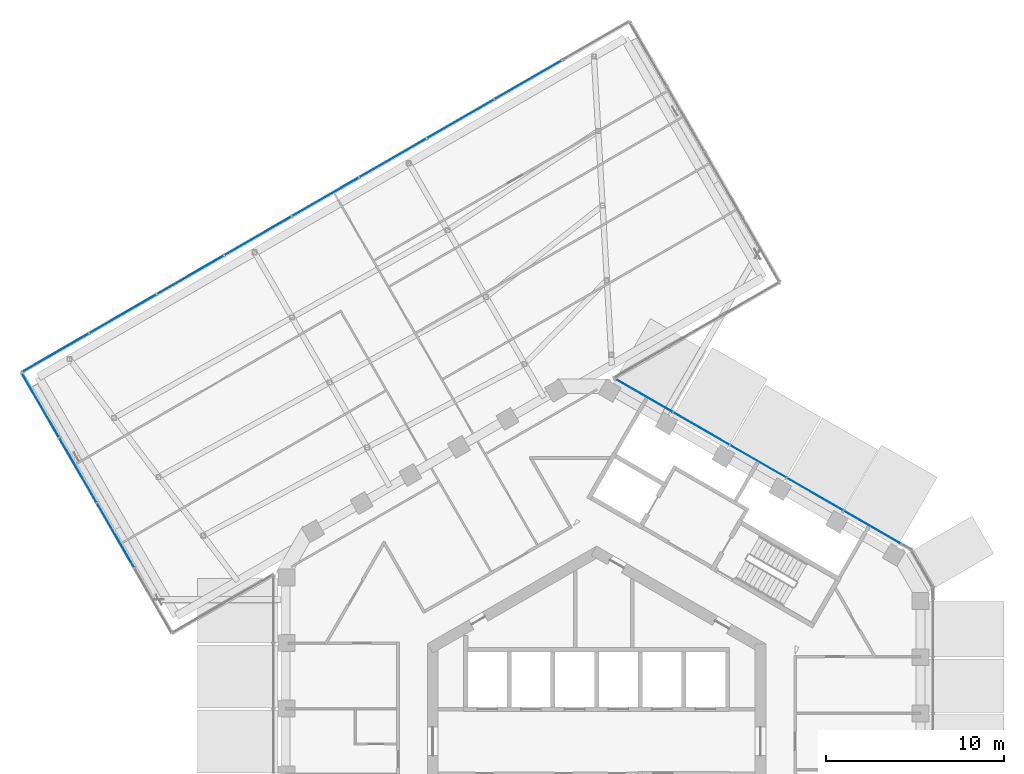
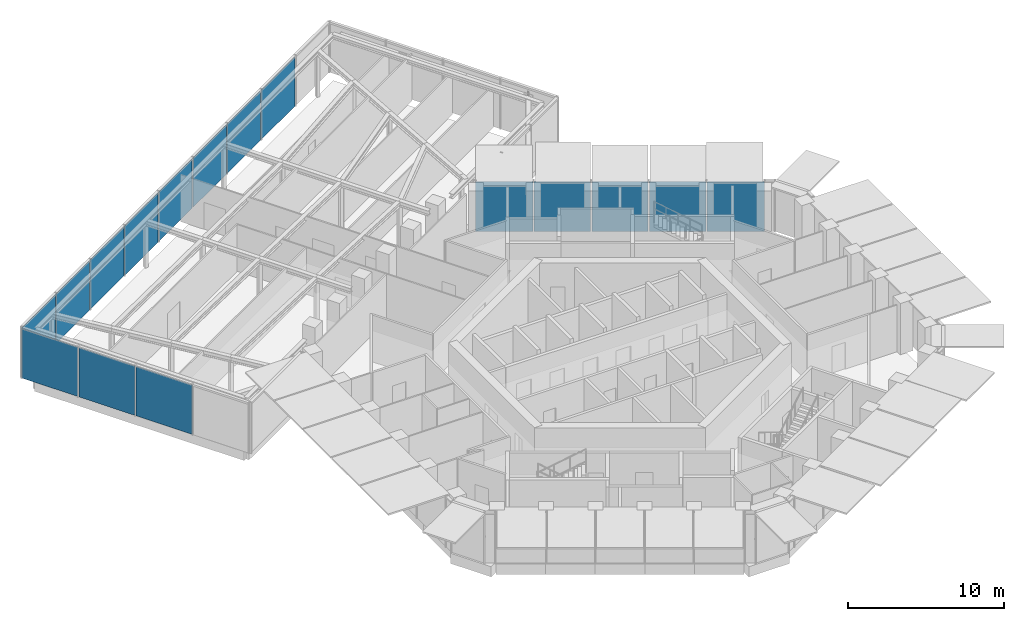
# One storey, part 16 of 27: 16 plates, 3 elements without a shape of their own.
"""IFC4 building model written with IfcOpenShell, lengths in metres."""

from ifc_helpers import new_model, si_unit, direction, frame, origin, origin_2d, place, context, subcontext, project, spatial, rectangle, extrude, material, layer, layer_set, type_object, element, aggregate, save


model = new_model("IFC4")

# Units and contexts
model_context = context("Model", 3, precision=1e-05, world=origin(), true_north=direction((0.0, 1.0)))
body_context = subcontext(model_context, "Body", "Model", "MODEL_VIEW")
ifc_project = project(units=[si_unit("LENGTHUNIT", "METRE"), si_unit("AREAUNIT", "SQUARE_METRE"), si_unit("VOLUMEUNIT", "CUBIC_METRE"), si_unit("PLANEANGLEUNIT", "RADIAN"), si_unit("MASSUNIT", "GRAM", prefix="KILO")], contexts=[model_context])

# Site, building, storey
site_placement = place(None, origin())
site = spatial("IfcSite", under=ifc_project, at=site_placement, CompositionType="ELEMENT")
building_placement = place(site_placement, origin())
building = spatial("IfcBuilding", under=site, at=building_placement, Name="Ayvan Gate Tower", CompositionType="ELEMENT")
storey_placement = place(building_placement, frame((0.0, 0.0, 194.699951171875)))
storey = spatial("IfcBuildingStorey", under=building, at=storey_placement, Name="L52", CompositionType="ELEMENT", Elevation=194.699951171875)

# Curtain wall, plates
ifc_material_1 = material(Name="Bronze anodised aluminium", Category="aluminium")
ifc_layer_1 = layer(ifc_material_1, 0.199951171875)
ifc_layer_set_1 = layer_set([ifc_layer_1], Name="Bronze anodised aluminium")
curtain_wall_type_1 = type_object("IfcCurtainWallType", Name="Stick curtain wall CW-2", PredefinedType="NOTDEFINED", material=ifc_layer_set_1)
curtain_wall_1_placement = place(storey_placement, origin())
curtain_wall_1 = element("IfcCurtainWall", 1, at=curtain_wall_1_placement, inside=storey, type_object=curtain_wall_type_1, Name="Stick curtain wall CW-2 L52", PredefinedType="NOTDEFINED")
ifc_material_2 = material(Name="Clear low-iron laminated glass", Category="glass")
ifc_layer_2 = layer(ifc_material_2, 0.028076171875)
ifc_layer_set_2 = layer_set([ifc_layer_2], Name="Clear low-iron laminated glass")
plate_type_1 = type_object("IfcPlateType", Name="Stick curtain wall CW-2 glass panel", PredefinedType="CURTAIN_PANEL", material=ifc_layer_set_2)
plate_1_placement = place(storey_placement, frame((15.489501953125, 12.018798828125, 0.0), z_axis=(0.0, 0.0, 1.0), x_axis=(-0.866025403784, 0.5, 0.0)))
plate_1 = element("IfcPlate", 2, at=plate_1_placement, type_object=plate_type_1, Name="CW-2 glass panel 1", PredefinedType="CURTAIN_PANEL", context=body_context, shape_type="SweptSolid", body=[
    extrude(rectangle(XDim=3.68701171875, YDim=0.028076171875, at=origin_2d()), origin(), (0.0, 0.0, 1.0), 3.8798828125),
])
plate_2_placement = place(storey_placement, frame((12.267578125, 13.879150390625, 0.0), z_axis=(0.0, 0.0, 1.0), x_axis=(-0.866025403784, 0.5, 0.0)))
plate_2 = element("IfcPlate", 3, at=plate_2_placement, type_object=plate_type_1, Name="CW-2 glass panel 2", PredefinedType="CURTAIN_PANEL", context=body_context, shape_type="SweptSolid", body=[
    extrude(rectangle(XDim=3.614013671875, YDim=0.028076171875, at=origin_2d()), origin(), (0.0, 0.0, 1.0), 3.8798828125),
])
plate_3_placement = place(storey_placement, frame((9.07666015625, 15.721435546875, 0.0), z_axis=(0.0, 0.0, 1.0), x_axis=(-0.866025403784, 0.5, 0.0)))
plate_3 = element("IfcPlate", 4, at=plate_3_placement, type_object=plate_type_1, Name="CW-2 glass panel 3", PredefinedType="CURTAIN_PANEL", context=body_context, shape_type="SweptSolid", body=[
    extrude(rectangle(XDim=3.614990234375, YDim=0.028076171875, at=origin_2d()), origin(), (0.0, 0.0, 1.0), 3.8798828125),
])
plate_4_placement = place(storey_placement, frame((5.8857421875, 17.563720703125, 0.0), z_axis=(0.0, 0.0, 1.0), x_axis=(-0.866025403784, 0.5, 0.0)))
plate_4 = element("IfcPlate", 5, at=plate_4_placement, type_object=plate_type_1, Name="CW-2 glass panel 4", PredefinedType="CURTAIN_PANEL", context=body_context, shape_type="SweptSolid", body=[
    extrude(rectangle(XDim=3.614013671875, YDim=0.028076171875, at=origin_2d()), origin(), (0.0, 0.0, 1.0), 3.8798828125),
])
plate_5_placement = place(storey_placement, frame((2.663818359375, 19.423828125, 0.0), z_axis=(0.0, 0.0, 1.0), x_axis=(-0.866025403784, 0.5, 0.0)))
plate_5 = element("IfcPlate", 6, at=plate_5_placement, type_object=plate_type_1, Name="CW-2 glass panel 5", PredefinedType="CURTAIN_PANEL", context=body_context, shape_type="SweptSolid", body=[
    extrude(rectangle(XDim=3.686767578125, YDim=0.028076171875, at=origin_2d()), origin(), (0.0, 0.0, 1.0), 3.8798828125),
])
aggregate(curtain_wall_1, [plate_1, plate_2, plate_3, plate_4, plate_5])

ifc_layer_3 = layer(ifc_material_1, 0.199951171875)
ifc_layer_set_3 = layer_set([ifc_layer_3], Name="Bronze anodised aluminium")
curtain_wall_type_2 = type_object("IfcCurtainWallType", Name="Stick curtain wall CW-4", PredefinedType="NOTDEFINED", material=ifc_layer_set_3)
curtain_wall_2_placement = place(storey_placement, origin())
curtain_wall_2 = element("IfcCurtainWall", 7, at=curtain_wall_2_placement, inside=storey, type_object=curtain_wall_type_2, Name="Stick curtain wall CW-4 L52", PredefinedType="NOTDEFINED")
ifc_layer_4 = layer(ifc_material_2, 0.028076171875)
ifc_layer_set_4 = layer_set([ifc_layer_4], Name="Clear low-iron laminated glass")
plate_type_2 = type_object("IfcPlateType", Name="Stick curtain wall CW-4 glass panel", PredefinedType="CURTAIN_PANEL", material=ifc_layer_set_4)
plate_6_placement = place(storey_placement, frame((-3.850830078125, 37.136474609375, 0.0), z_axis=(0.0, 0.0, 1.0), x_axis=(-0.866025403784, -0.5, 0.0)))
plate_6 = element("IfcPlate", 8, at=plate_6_placement, type_object=plate_type_2, Name="CW-4 glass panel 2", PredefinedType="CURTAIN_PANEL", context=body_context, shape_type="SweptSolid", body=[
    extrude(rectangle(XDim=4.2978515625, YDim=0.028076171875, at=origin_2d()), origin(), (0.0, 0.0, 1.0), 3.860107421875),
])
plate_7_placement = place(storey_placement, frame((-7.64208984375, 34.947509765625, 0.0), z_axis=(0.0, 0.0, 1.0), x_axis=(-0.866025403784, -0.5, 0.0)))
plate_7 = element("IfcPlate", 9, at=plate_7_placement, type_object=plate_type_2, Name="CW-4 glass panel 3", PredefinedType="CURTAIN_PANEL", context=body_context, shape_type="SweptSolid", body=[
    extrude(rectangle(XDim=4.2978515625, YDim=0.028076171875, at=origin_2d()), origin(), (0.0, 0.0, 1.0), 3.860107421875),
])
plate_8_placement = place(storey_placement, frame((-11.433349609375, 32.7587890625, 0.0), z_axis=(0.0, 0.0, 1.0), x_axis=(-0.866025403784, -0.5, 0.0)))
plate_8 = element("IfcPlate", 10, at=plate_8_placement, type_object=plate_type_2, Name="CW-4 glass panel 4", PredefinedType="CURTAIN_PANEL", context=body_context, shape_type="SweptSolid", body=[
    extrude(rectangle(XDim=4.2978515625, YDim=0.028076171875, at=origin_2d()), origin(), (0.0, 0.0, 1.0), 3.860107421875),
])
plate_9_placement = place(storey_placement, frame((-15.224609375, 30.56982421875, 0.0), z_axis=(0.0, 0.0, 1.0), x_axis=(-0.866025403784, -0.5, 0.0)))
plate_9 = element("IfcPlate", 11, at=plate_9_placement, type_object=plate_type_2, Name="CW-4 glass panel 5", PredefinedType="CURTAIN_PANEL", context=body_context, shape_type="SweptSolid", body=[
    extrude(rectangle(XDim=4.2978515625, YDim=0.028076171875, at=origin_2d()), origin(), (0.0, 0.0, 1.0), 3.860107421875),
])
plate_10_placement = place(storey_placement, frame((-19.015869140625, 28.380859375, 0.0), z_axis=(0.0, 0.0, 1.0), x_axis=(-0.866025403784, -0.5, 0.0)))
plate_10 = element("IfcPlate", 12, at=plate_10_placement, type_object=plate_type_2, Name="CW-4 glass panel 6", PredefinedType="CURTAIN_PANEL", context=body_context, shape_type="SweptSolid", body=[
    extrude(rectangle(XDim=4.2978515625, YDim=0.028076171875, at=origin_2d()), origin(), (0.0, 0.0, 1.0), 3.860107421875),
])
plate_11_placement = place(storey_placement, frame((-22.80712890625, 26.192138671875, 0.0), z_axis=(0.0, 0.0, 1.0), x_axis=(-0.866025403784, -0.5, 0.0)))
plate_11 = element("IfcPlate", 13, at=plate_11_placement, type_object=plate_type_2, Name="CW-4 glass panel 7", PredefinedType="CURTAIN_PANEL", context=body_context, shape_type="SweptSolid", body=[
    extrude(rectangle(XDim=4.2978515625, YDim=0.028076171875, at=origin_2d()), origin(), (0.0, 0.0, 1.0), 3.860107421875),
])
plate_12_placement = place(storey_placement, frame((-26.598388671875, 24.003173828125, 0.0), z_axis=(0.0, 0.0, 1.0), x_axis=(-0.866025403784, -0.5, 0.0)))
plate_12 = element("IfcPlate", 14, at=plate_12_placement, type_object=plate_type_2, Name="CW-4 glass panel 8", PredefinedType="CURTAIN_PANEL", context=body_context, shape_type="SweptSolid", body=[
    extrude(rectangle(XDim=4.2978515625, YDim=0.028076171875, at=origin_2d()), origin(), (0.0, 0.0, 1.0), 3.860107421875),
])
plate_13_placement = place(storey_placement, frame((-30.3896484375, 21.814208984375, 0.0), z_axis=(0.0, 0.0, 1.0), x_axis=(-0.866025403784, -0.5, 0.0)))
plate_13 = element("IfcPlate", 15, at=plate_13_placement, type_object=plate_type_2, Name="CW-4 glass panel 9", PredefinedType="CURTAIN_PANEL", context=body_context, shape_type="SweptSolid", body=[
    extrude(rectangle(XDim=4.2978515625, YDim=0.028076171875, at=origin_2d()), origin(), (0.0, 0.0, 1.0), 3.860107421875),
])
aggregate(curtain_wall_2, [plate_6, plate_7, plate_8, plate_9, plate_10, plate_11, plate_12, plate_13])

curtain_wall_3_placement = place(storey_placement, origin())
curtain_wall_3 = element("IfcCurtainWall", 16, at=curtain_wall_3_placement, inside=storey, type_object=curtain_wall_type_2, Name="Stick curtain wall CW-4 L52", PredefinedType="NOTDEFINED")
plate_14_placement = place(storey_placement, frame((-31.22900390625, 18.890380859375, 0.0), z_axis=(0.0, 0.0, 1.0), x_axis=(0.5, -0.866025403784, 0.0)))
plate_14 = element("IfcPlate", 17, at=plate_14_placement, type_object=plate_type_2, Name="CW-4 glass panel 1", PredefinedType="CURTAIN_PANEL", context=body_context, shape_type="SweptSolid", body=[
    extrude(rectangle(XDim=4.14501953125, YDim=0.028076171875, at=origin_2d()), origin(), (0.0, 0.0, 1.0), 3.860107421875),
])
plate_15_placement = place(storey_placement, frame((-27.004150390625, 11.572509765625, 0.0), z_axis=(0.0, 0.0, 1.0), x_axis=(0.5, -0.866025403784, 0.0)))
plate_15 = element("IfcPlate", 18, at=plate_15_placement, type_object=plate_type_2, Name="CW-4 glass panel 3", PredefinedType="CURTAIN_PANEL", context=body_context, shape_type="SweptSolid", body=[
    extrude(rectangle(XDim=4.14501953125, YDim=0.028076171875, at=origin_2d()), origin(), (0.0, 0.0, 1.0), 3.860107421875),
])
ifc_material_3 = material(Name="Pale anodised aluminium composite panel", Category="aluminium")
ifc_layer_5 = layer(ifc_material_3, 0.028076171875)
ifc_layer_set_5 = layer_set([ifc_layer_5], Name="Pale anodised aluminium composite panel")
plate_type_3 = type_object("IfcPlateType", Name="Stick curtain wall CW-4 solid panel", PredefinedType="CURTAIN_PANEL", material=ifc_layer_set_5)
plate_16_placement = place(storey_placement, frame((-29.116455078125, 15.2314453125, 0.0), z_axis=(0.0, 0.0, 1.0), x_axis=(0.5, -0.866025403784, 0.0)))
plate_16 = element("IfcPlate", 19, at=plate_16_placement, type_object=plate_type_3, Name="CW-4 solid panel 2", PredefinedType="CURTAIN_PANEL", context=body_context, shape_type="SweptSolid", body=[
    extrude(rectangle(XDim=4.14501953125, YDim=0.028076171875, at=origin_2d()), origin(), (0.0, 0.0, 1.0), 3.860107421875),
])
aggregate(curtain_wall_3, [plate_14, plate_16, plate_15])

save(model, "model.ifc")
